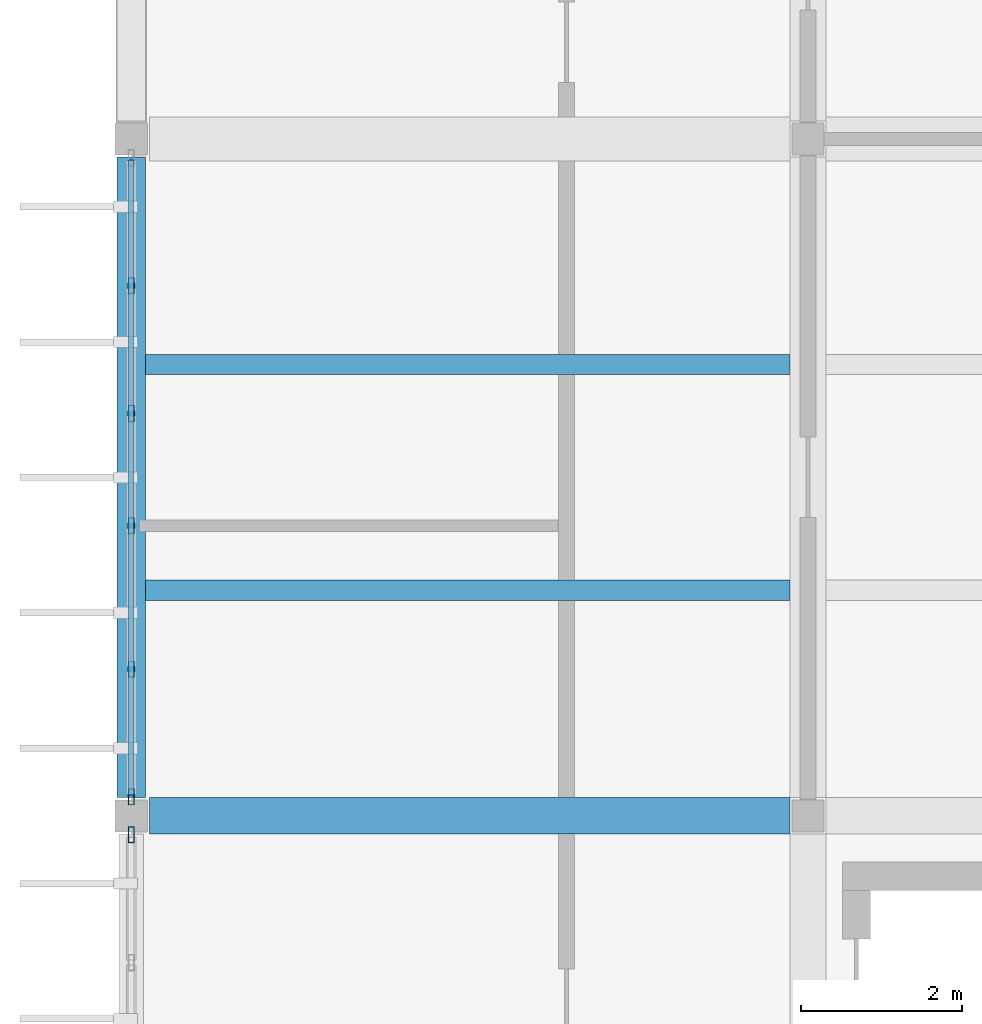
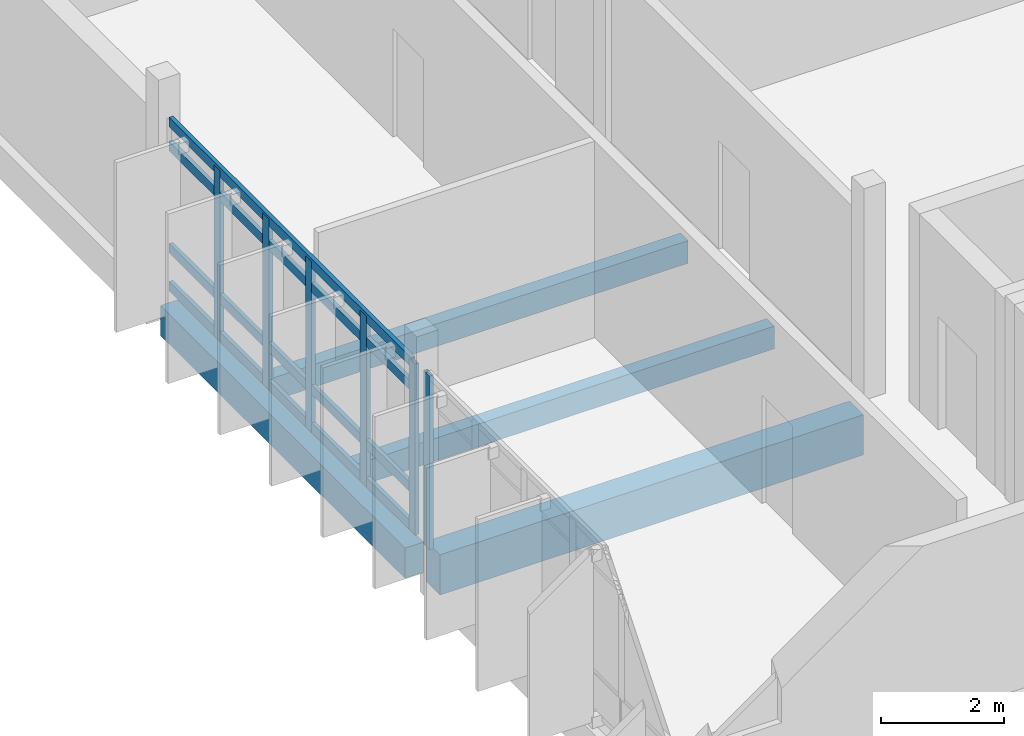
# One storey, part 5 of 41: 10 members, 4 beams, 2 elements without a shape of their own.
"""IFC4 building model written with IfcOpenShell, lengths in metres."""

from ifc_helpers import new_model, si_unit, direction, frame, origin, origin_2d, place, context, subcontext, project, spatial, rectangle, hollow_rectangle, extrude, material, layer, layer_set, material_profile, profile_set, type_object, element, aggregate, save


model = new_model("IFC4")

# Units and contexts
model_context = context("Model", 3, precision=1e-05, world=origin(), true_north=direction((0.0, 1.0)))
body_context = subcontext(model_context, "Body", "Model", "MODEL_VIEW")
ifc_project = project(units=[si_unit("LENGTHUNIT", "METRE"), si_unit("AREAUNIT", "SQUARE_METRE"), si_unit("VOLUMEUNIT", "CUBIC_METRE"), si_unit("PLANEANGLEUNIT", "RADIAN"), si_unit("MASSUNIT", "GRAM", prefix="KILO")], contexts=[model_context])

# Site, building, storey
site_placement = place(None, origin())
site = spatial("IfcSite", under=ifc_project, at=site_placement, CompositionType="ELEMENT")
building_placement = place(site_placement, origin())
building = spatial("IfcBuilding", under=site, at=building_placement, Name="Vireocrest Preparatory School", CompositionType="ELEMENT")
storey_placement = place(building_placement, frame((0.0, 0.0, 21.60009765625)))
storey = spatial("IfcBuildingStorey", under=building, at=storey_placement, Name="L05", CompositionType="ELEMENT", Elevation=21.60009765625)

# Curtain wall, member
ifc_material_1 = material(Name="Thermally broken aluminium EN AW-6063-T6", Category="aluminium")
ifc_layer = layer(ifc_material_1, 0.179931640625)
ifc_layer_set = layer_set([ifc_layer], Name="Thermally broken aluminium EN AW-6063-T6")
curtain_wall_type = type_object("IfcCurtainWallType", Name="Teaching Fin Curtain Wall 8400x4200", PredefinedType="USERDEFINED", material=ifc_layer_set)
curtain_wall_1_placement = place(storey_placement, origin())
curtain_wall_1 = element("IfcCurtainWall", 1, at=curtain_wall_1_placement, inside=storey, type_object=curtain_wall_type, Name="Curtain Wall CW03 CW_L05_CW03_0420_0440_216", ObjectType="CURTAIN WALL", PredefinedType="USERDEFINED")
ifc_material_profile_1 = material_profile(ifc_material_1, hollow_rectangle(XDim=0.074951171875, YDim=0.199951171875, WallThickness=0.0048828125, at=origin_2d()), Name="ALU 75x200x5")
ifc_profile_set_1 = profile_set([ifc_material_profile_1], Name="Thermally broken aluminium EN AW-6063-T6")
member_type_1 = type_object("IfcMemberType", Name="CW Mullion 75x200x5", PredefinedType="MULLION", material=ifc_profile_set_1)
member_1_placement = place(storey_placement, frame((42.0, 51.965087890625, 0.0), z_axis=(0.0, 0.0, 1.0), x_axis=(1.0, 0.0, 0.0)))
member_1 = element("IfcMember", 2, at=member_1_placement, type_object=member_type_1, Name="CW Mullion ML3 CW_L05_CW03_0420_0440_216-6", PredefinedType="MULLION", context=body_context, shape_type="SweptSolid", body=[
    extrude(hollow_rectangle(XDim=0.074951171875, YDim=0.199951171875, WallThickness=0.0048828125, at=origin_2d()), origin(), (0.0, 0.0, 1.0), 3.44482421875),
])
aggregate(curtain_wall_1, [member_1])

# Curtain wall, members
curtain_wall_2_placement = place(storey_placement, origin())
curtain_wall_2 = element("IfcCurtainWall", 3, at=curtain_wall_2_placement, inside=storey, type_object=curtain_wall_type, Name="Curtain Wall CW03 CW_L05_CW03_0420_0524_216", ObjectType="CURTAIN WALL", PredefinedType="USERDEFINED")
member_2_placement = place(storey_placement, frame((42.0, 52.43505859375, 0.0), z_axis=(0.0, 0.0, 1.0), x_axis=(1.0, 0.0, 0.0)))
member_2 = element("IfcMember", 4, at=member_2_placement, type_object=member_type_1, Name="CW Mullion ML3 CW_L05_CW03_0420_0524_216-1", PredefinedType="MULLION", context=body_context, shape_type="SweptSolid", body=[
    extrude(hollow_rectangle(XDim=0.074951171875, YDim=0.199951171875, WallThickness=0.0048828125, at=origin_2d()), origin(), (0.0, 0.0, 1.0), 3.39501953125),
])
member_3_placement = place(storey_placement, frame((42.0, 54.02099609375, 0.0), z_axis=(0.0, 0.0, 1.0), x_axis=(1.0, 0.0, 0.0)))
member_3 = element("IfcMember", 5, at=member_3_placement, type_object=member_type_1, Name="CW Mullion ML3 CW_L05_CW03_0420_0524_216-2", PredefinedType="MULLION", context=body_context, shape_type="SweptSolid", body=[
    extrude(hollow_rectangle(XDim=0.074951171875, YDim=0.199951171875, WallThickness=0.0048828125, at=origin_2d()), origin(), (0.0, 0.0, 1.0), 3.39501953125),
])
member_4_placement = place(storey_placement, frame((42.0, 55.800048828125, 0.0), z_axis=(0.0, 0.0, 1.0), x_axis=(1.0, 0.0, 0.0)))
member_4 = element("IfcMember", 6, at=member_4_placement, type_object=member_type_1, Name="CW Mullion ML3 CW_L05_CW03_0420_0524_216-3", PredefinedType="MULLION", context=body_context, shape_type="SweptSolid", body=[
    extrude(hollow_rectangle(XDim=0.074951171875, YDim=0.199951171875, WallThickness=0.0048828125, at=origin_2d()), origin(), (0.0, 0.0, 1.0), 3.39501953125),
])
member_5_placement = place(storey_placement, frame((42.0, 57.193115234375, 0.0), z_axis=(0.0, 0.0, 1.0), x_axis=(1.0, 0.0, 0.0)))
member_5 = element("IfcMember", 7, at=member_5_placement, type_object=member_type_1, Name="CW Mullion ML3 CW_L05_CW03_0420_0524_216-4", PredefinedType="MULLION", context=body_context, shape_type="SweptSolid", body=[
    extrude(hollow_rectangle(XDim=0.074951171875, YDim=0.199951171875, WallThickness=0.0048828125, at=origin_2d()), origin(), (0.0, 0.0, 1.0), 3.39501953125),
])
member_6_placement = place(storey_placement, frame((42.0, 58.779052734375, 0.0), z_axis=(0.0, 0.0, 1.0), x_axis=(1.0, 0.0, 0.0)))
member_6 = element("IfcMember", 8, at=member_6_placement, type_object=member_type_1, Name="CW Mullion ML3 CW_L05_CW03_0420_0524_216-5", PredefinedType="MULLION", context=body_context, shape_type="SweptSolid", body=[
    extrude(hollow_rectangle(XDim=0.074951171875, YDim=0.199951171875, WallThickness=0.0048828125, at=origin_2d()), origin(), (0.0, 0.0, 1.0), 3.39501953125),
])
ifc_material_profile_2 = material_profile(ifc_material_1, hollow_rectangle(XDim=0.074951171875, YDim=0.18994140625, WallThickness=0.00390625, at=origin_2d()), Name="ALU 75x190x4")
ifc_profile_set_2 = profile_set([ifc_material_profile_2], Name="Thermally broken aluminium EN AW-6063-T6")
member_type_2 = type_object("IfcMemberType", Name="CW Transom 75x190x4", PredefinedType="USERDEFINED", material=ifc_profile_set_2)
member_7_placement = place(storey_placement, frame((42.0, 52.4599609375, 0.094970703125), z_axis=(0.0, 1.0, 0.0), x_axis=(-1.0, 0.0, 0.0)))
member_7 = element("IfcMember", 9, at=member_7_placement, type_object=member_type_2, Name="CW Transom TR3 CW_L05_CW03_0420_0524_216-1", ObjectType="TRANSOM", PredefinedType="USERDEFINED", context=body_context, shape_type="SweptSolid", body=[
    extrude(hollow_rectangle(XDim=0.074951171875, YDim=0.18994140625, WallThickness=0.00390625, at=origin_2d()), origin(), (0.0, 0.0, 1.0), 7.880126953125),
])
member_8_placement = place(storey_placement, frame((42.0, 52.4599609375, 0.849853515625), z_axis=(0.0, 1.0, 0.0), x_axis=(-1.0, 0.0, 0.0)))
member_8 = element("IfcMember", 10, at=member_8_placement, type_object=member_type_2, Name="CW Transom TR3 CW_L05_CW03_0420_0524_216-2", ObjectType="TRANSOM", PredefinedType="USERDEFINED", context=body_context, shape_type="SweptSolid", body=[
    extrude(hollow_rectangle(XDim=0.074951171875, YDim=0.18994140625, WallThickness=0.00390625, at=origin_2d()), origin(), (0.0, 0.0, 1.0), 7.880126953125),
])
member_9_placement = place(storey_placement, frame((42.0, 52.4599609375, 2.8798828125), z_axis=(0.0, 1.0, 0.0), x_axis=(-1.0, 0.0, 0.0)))
member_9 = element("IfcMember", 11, at=member_9_placement, type_object=member_type_2, Name="CW Transom TR3 CW_L05_CW03_0420_0524_216-3", ObjectType="TRANSOM", PredefinedType="USERDEFINED", context=body_context, shape_type="SweptSolid", body=[
    extrude(hollow_rectangle(XDim=0.074951171875, YDim=0.18994140625, WallThickness=0.00390625, at=origin_2d()), origin(), (0.0, 0.0, 1.0), 7.880126953125),
])
member_10_placement = place(storey_placement, frame((42.0, 52.4599609375, 3.35498046875), z_axis=(0.0, 1.0, 0.0), x_axis=(-1.0, 0.0, 0.0)))
member_10 = element("IfcMember", 12, at=member_10_placement, type_object=member_type_2, Name="CW Transom TR3 CW_L05_CW03_0420_0524_216-4", ObjectType="TRANSOM", PredefinedType="USERDEFINED", context=body_context, shape_type="SweptSolid", body=[
    extrude(hollow_rectangle(XDim=0.074951171875, YDim=0.18994140625, WallThickness=0.00390625, at=origin_2d()), origin(), (0.0, 0.0, 1.0), 7.880126953125),
])
aggregate(curtain_wall_2, [member_2, member_3, member_4, member_5, member_6, member_7, member_8, member_9, member_10])

# Beams
ifc_material_2 = material(Name="Concrete 40 MPa", Category="concrete")
ifc_material_profile_3 = material_profile(ifc_material_2, rectangle(XDim=0.35009765625, YDim=0.60009765625, at=origin_2d()), Name="RC 350x600")
ifc_profile_set_3 = profile_set([ifc_material_profile_3], Name="Concrete 40 MPa")
beam_type_1 = type_object("IfcBeamType", Name="RC Classroom Girder 350x600", PredefinedType="BEAM", material=ifc_profile_set_3)
beam_1_placement = place(storey_placement, frame((42.0, 52.425048828125, -0.56005859375), z_axis=(0.0, 1.0, 0.0), x_axis=(-1.0, 0.0, 0.0)))
element("IfcBeam", 13, at=beam_1_placement, inside=storey, type_object=beam_type_1, Name="Primary Girder B04 L05-1563", PredefinedType="BEAM", context=body_context, shape_type="SweptSolid", body=[
    extrude(rectangle(XDim=0.35009765625, YDim=0.60009765625, at=origin_2d()), origin(), (0.0, 0.0, 1.0), 7.949951171875),
])
ifc_material_profile_4 = material_profile(ifc_material_2, rectangle(XDim=0.449951171875, YDim=0.800048828125, at=origin_2d()), Name="RC 450x800")
ifc_profile_set_4 = profile_set([ifc_material_profile_4], Name="Concrete 40 MPa")
beam_type_2 = type_object("IfcBeamType", Name="RC Library Stack Girder 450x800", PredefinedType="BEAM", material=ifc_profile_set_4)
beam_2_placement = place(storey_placement, frame((42.22509765625, 52.199951171875, -0.66015625), z_axis=(1.0, 0.0, 0.0), x_axis=(0.0, 1.0, 0.0)))
element("IfcBeam", 14, at=beam_2_placement, inside=storey, type_object=beam_type_2, Name="Primary Girder B12 L05-1522", PredefinedType="BEAM", context=body_context, shape_type="SweptSolid", body=[
    extrude(rectangle(XDim=0.449951171875, YDim=0.800048828125, at=origin_2d()), origin(), (0.0, 0.0, 1.0), 7.949951171875),
])
ifc_material_profile_5 = material_profile(ifc_material_2, rectangle(XDim=0.25, YDim=0.449951171875, at=origin_2d()), Name="RC 250x450")
ifc_profile_set_5 = profile_set([ifc_material_profile_5], Name="Concrete 40 MPa")
beam_type_3 = type_object("IfcBeamType", Name="RC Secondary Floor Joist 250x450", PredefinedType="JOIST", material=ifc_profile_set_5)
for number, where, z_axis, x_axis, name in (
    (15, (42.175048828125, 55.0, -0.485107421875), (1.0, 0.0, 0.0), (0.0, 1.0, 0.0), "Secondary Joist J01 L05-1615"),
    (16, (42.175048828125, 57.800048828125, -0.485107421875), (1.0, 0.0, 0.0), (0.0, 1.0, 0.0), "Secondary Joist J01 L05-1616"),
):
    element("IfcBeam", number, at=place(storey_placement, frame(where, z_axis=z_axis, x_axis=x_axis)), inside=storey, type_object=beam_type_3, Name=name, PredefinedType="JOIST", context=body_context, shape_type="SweptSolid", body=[
        extrude(rectangle(XDim=0.25, YDim=0.449951171875, at=origin_2d()), origin(), (0.0, 0.0, 1.0), 8.0),
    ])

save(model, "model.ifc")
